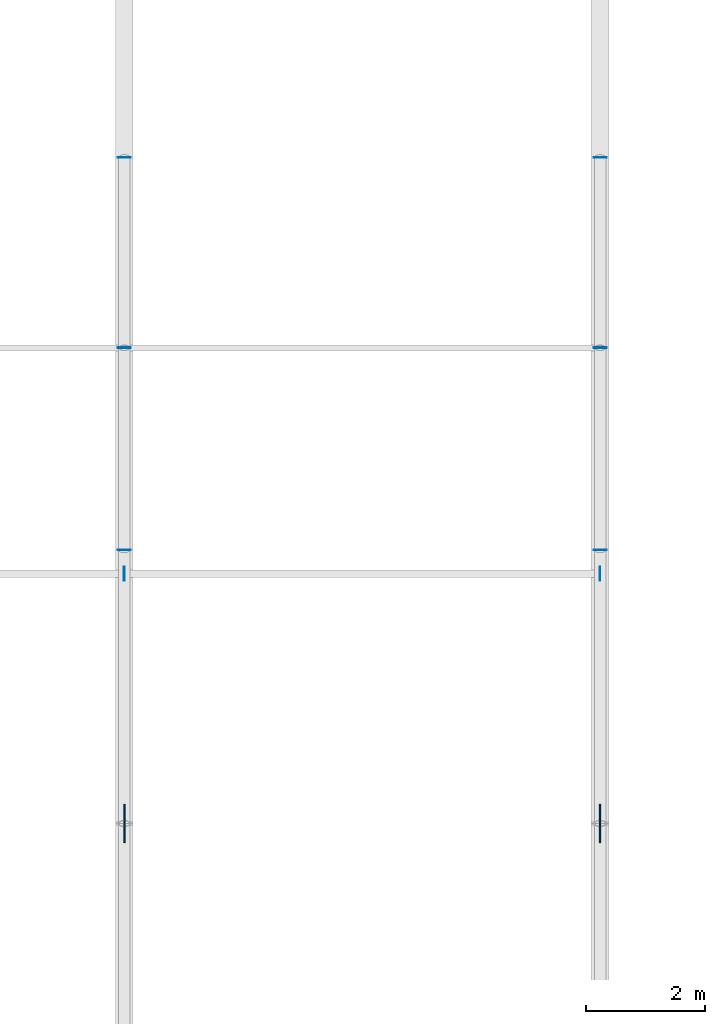
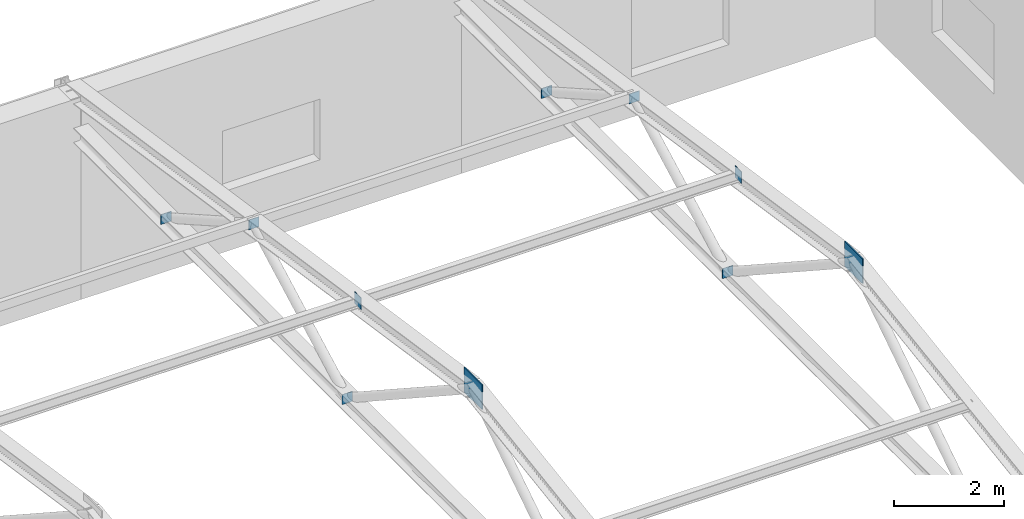
# One storey, part 39 of 75: 10 plates.
"""IFC4 building model written with IfcOpenShell, lengths in metres."""

from ifc_helpers import new_model, si_unit, direction, frame, origin, origin_2d, place, context, subcontext, project, spatial, rectangle, extrude, material, layer, layer_set, type_object, element, save


model = new_model("IFC4")

# Units and contexts
model_context = context("Model", 3, precision=1e-05, world=origin(), true_north=direction((0.0, 1.0)))
body_context = subcontext(model_context, "Body", "Model", "MODEL_VIEW")
ifc_project = project(units=[si_unit("LENGTHUNIT", "METRE"), si_unit("AREAUNIT", "SQUARE_METRE"), si_unit("VOLUMEUNIT", "CUBIC_METRE"), si_unit("PLANEANGLEUNIT", "RADIAN"), si_unit("MASSUNIT", "GRAM", prefix="KILO")], contexts=[model_context])

# Site, building, storey
site_placement = place(None, origin())
site = spatial("IfcSite", under=ifc_project, at=site_placement, CompositionType="ELEMENT")
building_placement = place(site_placement, origin())
building = spatial("IfcBuilding", under=site, at=building_placement, Name="Valkorina Park Police Headquarters", CompositionType="ELEMENT")
storey_placement = place(building_placement, frame((0.0, 0.0, 5.39990234375)))
storey = spatial("IfcBuildingStorey", under=building, at=storey_placement, Name="L02", CompositionType="ELEMENT", Elevation=5.39990234375)

# Plates
ifc_material = material(Name="Steel S355", Category="steel")
ifc_layer_1 = layer(ifc_material, 0.011962890625)
ifc_layer_set_1 = layer_set([ifc_layer_1], Name="Steel S355")
plate_type_1 = type_object("IfcPlateType", Name="PL-ENDCAP-12", PredefinedType="USERDEFINED", material=ifc_layer_set_1)
for number, where, z_axis, x_axis, name in (
    (1, (144.800048828125, 100.800048828125, 3.59033203125), (0.0, 0.0, 1.0), (1.0, 0.0, 0.0), "CHS Hollow End Cap Plate 107"),
    (2, (144.800048828125, 104.199951171875, 5.41015625), (0.0, 0.0, 1.0), (1.0, 0.0, 0.0), "CHS Hollow End Cap Plate 108"),
    (3, (144.800048828125, 107.39990234375, 3.59033203125), (0.0, 0.0, 1.0), (1.0, 0.0, 0.0), "CHS Hollow End Cap Plate 109"),
    (4, (152.800048828125, 100.800048828125, 3.59033203125), (0.0, 0.0, 1.0), (1.0, 0.0, 0.0), "CHS Hollow End Cap Plate 116"),
    (5, (152.800048828125, 104.199951171875, 5.41015625), (0.0, 0.0, 1.0), (1.0, 0.0, 0.0), "CHS Hollow End Cap Plate 117"),
    (6, (152.800048828125, 107.39990234375, 3.59033203125), (0.0, 0.0, 1.0), (1.0, 0.0, 0.0), "CHS Hollow End Cap Plate 118"),
):
    element("IfcPlate", number, at=place(storey_placement, frame(where, z_axis=z_axis, x_axis=x_axis)), inside=storey, type_object=plate_type_1, Name=name, ObjectType="END CAP PLATE", PredefinedType="USERDEFINED", context=body_context, shape_type="SweptSolid", body=[
        extrude(rectangle(XDim=0.219970703125, YDim=0.011962890625, at=origin_2d()), origin(), (0.0, 0.0, 1.0), 0.219970703125),
    ])
for number, where, z_axis, x_axis, name in (
    (7, (144.800048828125, 100.39990234375, 5.97021484375), (0.0, 0.0, 1.0), (1.0, 0.0, 0.0), "V3 Purlin Cleat End Plate 124"),
    (8, (152.800048828125, 100.39990234375, 5.97021484375), (0.0, 0.0, 1.0), (1.0, 0.0, 0.0), "V3 Purlin Cleat End Plate 126"),
):
    element("IfcPlate", number, at=place(storey_placement, frame(where, z_axis=z_axis, x_axis=x_axis)), inside=storey, type_object=plate_type_1, Name=name, ObjectType="END CAP PLATE", PredefinedType="USERDEFINED", context=body_context, shape_type="SweptSolid", body=[
        extrude(rectangle(XDim=0.011962890625, YDim=0.239990234375, at=origin_2d()), origin(), (0.0, 0.0, 1.0), 0.260009765625),
    ])
ifc_layer_2 = layer(ifc_material, 0.02392578125)
ifc_layer_set_2 = layer_set([ifc_layer_2], Name="Steel S355")
plate_type_2 = type_object("IfcPlateType", Name="PL-GUSSET-24", PredefinedType="USERDEFINED", material=ifc_layer_set_2)
for number, where, z_axis, x_axis, name in (
    (9, (144.800048828125, 96.199951171875, 6.42529296875), (0.0, 0.0, 1.0), (1.0, 0.0, 0.0), "V3 Truss Ridge Apex Gusset Plate 103"),
    (10, (152.800048828125, 96.199951171875, 6.42529296875), (0.0, 0.0, 1.0), (1.0, 0.0, 0.0), "V3 Truss Ridge Apex Gusset Plate 112"),
):
    element("IfcPlate", number, at=place(storey_placement, frame(where, z_axis=z_axis, x_axis=x_axis)), inside=storey, type_object=plate_type_2, Name=name, ObjectType="GUSSET PLATE", PredefinedType="USERDEFINED", context=body_context, shape_type="SweptSolid", body=[
        extrude(rectangle(XDim=0.02392578125, YDim=0.64990234375, at=origin_2d()), origin(), (0.0, 0.0, 1.0), 0.550048828125),
    ])

save(model, "model.ifc")
